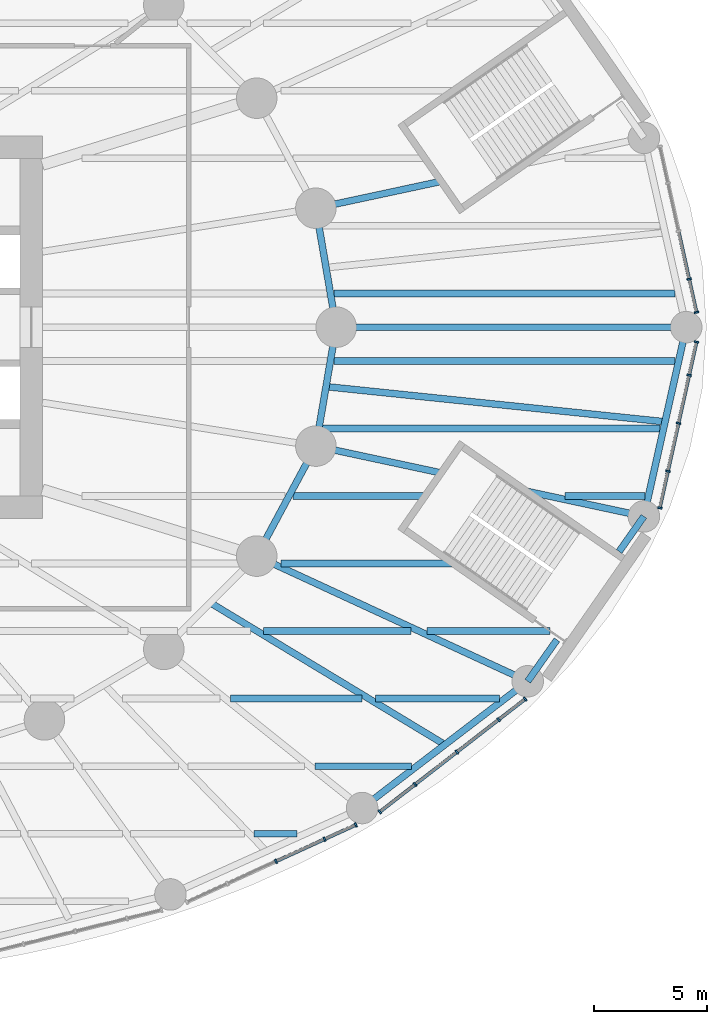
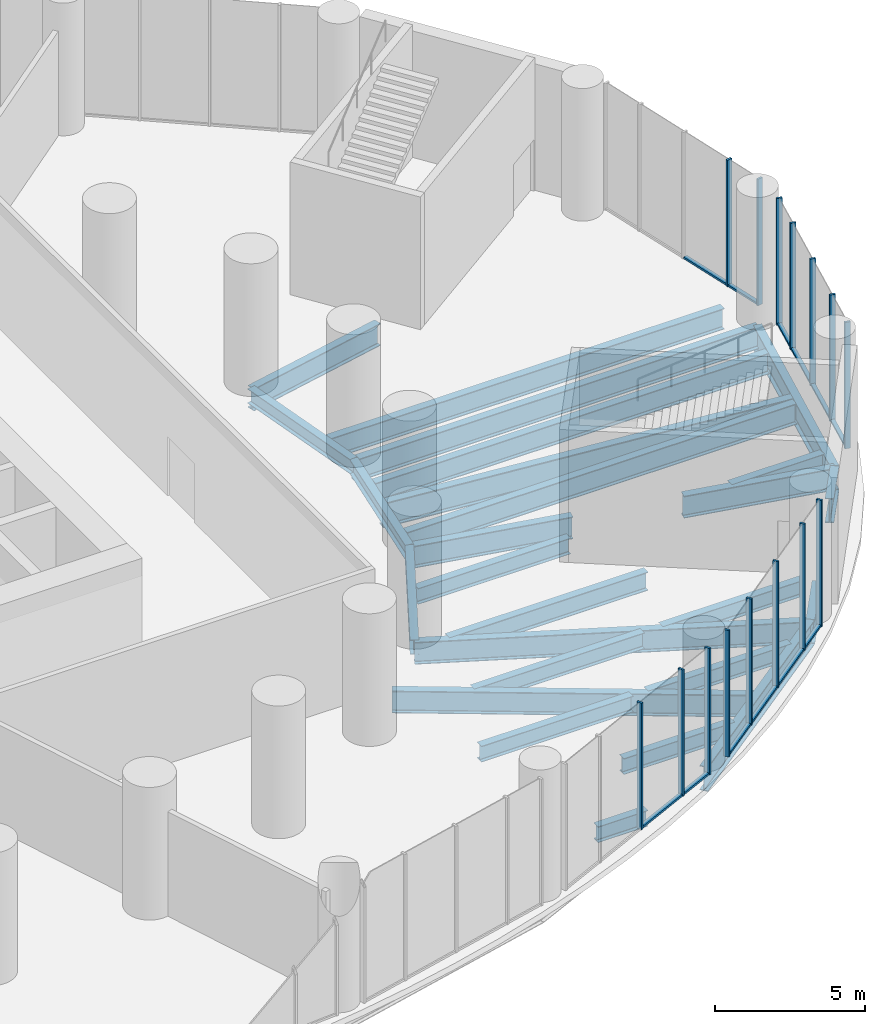
# One storey, part 11 of 21: 27 members, 26 beams, 4 elements without a shape of their own.
"""IFC4 building model written with IfcOpenShell, lengths in metres."""

import ifcopenshell
import ifcopenshell.guid

model = None  # the IFC model being written
_history = None  # IfcOwnerHistory: only IFC2X3 demands one
_inside = {}  # id of a spatial element -> (the spatial element, [elements in it])
_under = {}  # id of a project, library or spatial element -> (it, [spatial elements below it])
_declared = {}  # id of a project -> (the project, [libraries it declares])
_typed = {}  # id of a type object -> (the type object, [elements of that type])
_made_of = {}  # id of a material, layer set ... -> (it, [elements and type objects made of it])


def new_model(schema):
    """Start an empty IFC model of exactly this schema.

    Asked for "IFC4X3", IfcOpenShell would pick the latest addendum, in which some entities
    have other attributes; the version numbers below select the first issue.
    IFC2X3 requires an IfcOwnerHistory on every rooted entity: one is made here for all.
    """
    global model, _history
    if schema == "IFC4X3":
        model = ifcopenshell.file(schema_version=(4, 3, 0, 0))
    else:
        model = ifcopenshell.file(schema=schema)
    _inside.clear()
    _under.clear()
    _declared.clear()
    _typed.clear()
    _made_of.clear()
    _history = None
    if model.schema == "IFC2X3":
        org = make("IfcOrganization", Name="unknown")
        user = make(
            "IfcPersonAndOrganization",
            ThePerson=make("IfcPerson", FamilyName="unknown"),
            TheOrganization=org,
        )
        app = make(
            "IfcApplication",
            ApplicationDeveloper=org,
            Version="unknown",
            ApplicationFullName="unknown",
            ApplicationIdentifier="unknown",
        )
        _history = make(
            "IfcOwnerHistory",
            OwningUser=user,
            OwningApplication=app,
            ChangeAction="ADDED",
            CreationDate=0,
        )
    return model


def make(cls, **values):
    """One entity of the class cls with the attributes given. An attribute that is None is left unset."""
    return model.create_entity(
        cls, **{name: value for name, value in values.items() if value is not None}
    )


def rooted(cls, **values):
    """An entity with a GlobalId (a new one), such as an element, a storey or a relation."""
    return make(cls, GlobalId=ifcopenshell.guid.new(), OwnerHistory=_history, **values)


def si_unit(unit_type, name, prefix=None):
    """IfcSIUnit, for example si_unit("LENGTHUNIT", "METRE", prefix="MILLI")."""
    return make("IfcSIUnit", UnitType=unit_type, Prefix=prefix, Name=name)


def assignment(units):
    """IfcUnitAssignment: the units of a project."""
    return None if units is None else make("IfcUnitAssignment", Units=units)


def point(xyz):
    """IfcCartesianPoint."""
    return None if xyz is None else make("IfcCartesianPoint", Coordinates=xyz)


def direction(xyz):
    """IfcDirection."""
    return None if xyz is None else make("IfcDirection", DirectionRatios=xyz)


def frame(location, z_axis=None, x_axis=None):
    """IfcAxis2Placement3D, a coordinate frame: its origin and axes. An axis left out is left unset."""
    return make(
        "IfcAxis2Placement3D",
        Location=point(location),
        Axis=direction(z_axis),
        RefDirection=direction(x_axis),
    )


def frame_2d(location, x_axis=None):
    """IfcAxis2Placement2D, a coordinate frame in the plane: its origin and x axis."""
    return make(
        "IfcAxis2Placement2D", Location=point(location), RefDirection=direction(x_axis)
    )


def origin():
    """The frame at (0, 0, 0) with its axes left unset."""
    return frame((0.0, 0.0, 0.0))


def origin_2d():
    """The frame at (0, 0) in the plane with its x axis left unset."""
    return frame_2d((0.0, 0.0))


def place(relative_to, where):
    """IfcLocalPlacement: puts the frame where relative to a parent placement (None: the world)."""
    return make(
        "IfcLocalPlacement", PlacementRelTo=relative_to, RelativePlacement=where
    )


def context(
    kind, dimensions, precision=None, world=None, true_north=None, identifier=None
):
    """IfcGeometricRepresentationContext, for example the 3D "Model" context."""
    return make(
        "IfcGeometricRepresentationContext",
        ContextIdentifier=identifier,
        ContextType=kind,
        CoordinateSpaceDimension=dimensions,
        Precision=precision,
        WorldCoordinateSystem=world,
        TrueNorth=true_north,
    )


def subcontext(parent, identifier, kind, view, scale=None):
    """IfcGeometricRepresentationSubContext, for example "Body" below "Model"."""
    return make(
        "IfcGeometricRepresentationSubContext",
        ContextIdentifier=identifier,
        ContextType=kind,
        ParentContext=parent,
        TargetScale=scale,
        TargetView=view,
    )


def project(units=None, contexts=None):
    """IfcProject with its units and contexts."""
    return rooted(
        "IfcProject",
        Name="project",
        RepresentationContexts=contexts,
        UnitsInContext=assignment(units),
    )


def spatial(cls, under=None, at=None, **own):
    """A site, building, storey or space (cls), placed at a placement, below another one or the project."""
    s = rooted(cls, ObjectPlacement=at, **own)
    if under is not None:
        _under.setdefault(under.id(), (under, []))[1].append(s)
    return s


def profile(cls, at=None, kind="AREA", **sizes):
    """A parametric profile (cls). Its sizes go by their IFC names, for example OverallWidth=200.0."""
    return make(cls, ProfileType=kind, Position=at, **sizes)


def rectangle(**sizes):
    """IfcRectangleProfileDef."""
    return profile("IfcRectangleProfileDef", **sizes)


def i_section(**sizes):
    """IfcIShapeProfileDef."""
    return profile("IfcIShapeProfileDef", **sizes)


def extrude(swept, where, along, depth):
    """IfcExtrudedAreaSolid: the profile swept, set in the frame where, extruded along a direction by depth."""
    return make(
        "IfcExtrudedAreaSolid",
        SweptArea=swept,
        Position=where,
        ExtrudedDirection=direction(along),
        Depth=depth,
    )


def shape(context_of_items, identifier, shape_type, items):
    """IfcShapeRepresentation: the items that make up one representation, for example the "Body"."""
    return make(
        "IfcShapeRepresentation",
        ContextOfItems=context_of_items,
        RepresentationIdentifier=identifier,
        RepresentationType=shape_type,
        Items=items,
    )


def material(Name=None, Category=None):
    """IfcMaterial."""
    return make("IfcMaterial", Name=Name, Category=Category)


def material_profile(
    of_material, cross_section, Name=None, Category=None, Priority=None
):
    """IfcMaterialProfile: a cross section and its material."""
    return make(
        "IfcMaterialProfile",
        Name=Name,
        Material=of_material,
        Profile=cross_section,
        Priority=Priority,
        Category=Category,
    )


def profile_set(profiles, Name=None, composite=None):
    """IfcMaterialProfileSet."""
    return make(
        "IfcMaterialProfileSet",
        Name=Name,
        MaterialProfiles=profiles,
        CompositeProfile=composite,
    )


def made_of(thing, what):
    """Note that an element or type object is made of a material, layer set ...; save() writes the relation."""
    if what is not None:
        _made_of.setdefault(what.id(), (what, []))[1].append(thing)
    return thing


def type_object(cls, material=None, **own):
    """A type object (cls), such as IfcWallType, which elements share."""
    return made_of(rooted(cls, **own), material)


def element(
    cls,
    number,
    at=None,
    inside=None,
    cuts=None,
    type_object=None,
    material=None,
    context=None,
    identifier="Body",
    shape_type=None,
    held_by="IfcProductDefinitionShape",
    body=None,
    shapes=None,
    **own,
):
    """One element of the class cls, such as IfcWall. Its Tag is "e" and its number.

    at: its placement. inside: the storey or other place that contains it. cuts: it is an
    opening in that element (IfcRelVoidsElement). A single representation is given by context,
    identifier, shape_type and body (its items); several are given by shapes. held_by: the class
    of the entity that holds the representations. save() writes the other relations.
    """
    e = rooted(cls, Tag="e%d" % number, ObjectPlacement=at, **own)
    if body is not None:
        shapes = [shape(context, identifier, shape_type, body)]
    if shapes is not None:
        e.Representation = make(held_by, Representations=shapes)
    if inside is not None:
        _inside.setdefault(inside.id(), (inside, []))[1].append(e)
    if cuts is not None:
        rooted(
            "IfcRelVoidsElement", RelatingBuildingElement=cuts, RelatedOpeningElement=e
        )
    if type_object is not None:
        _typed.setdefault(type_object.id(), (type_object, []))[1].append(e)
    return made_of(e, material)


def aggregate(whole, parts):
    """IfcRelAggregates: a whole, such as a stair, and the parts it consists of."""
    return rooted("IfcRelAggregates", RelatingObject=whole, RelatedObjects=parts)


def save(model, path):
    """Write the relations noted so far, then the file.

    IfcRelAggregates (storeys below a building ...), IfcRelContainedInSpatialStructure (elements
    in a storey), IfcRelDefinesByType, IfcRelAssociatesMaterial and IfcRelDeclares: one each for
    every whole, place, type object, material and project.
    """
    for whole, parts in _under.values():
        aggregate(whole, parts)
    for where, things in _inside.values():
        rooted(
            "IfcRelContainedInSpatialStructure",
            RelatedElements=things,
            RelatingStructure=where,
        )
    for kind, things in _typed.values():
        rooted("IfcRelDefinesByType", RelatedObjects=things, RelatingType=kind)
    for what, things in _made_of.values():
        rooted("IfcRelAssociatesMaterial", RelatedObjects=things, RelatingMaterial=what)
    for by, libraries in _declared.values():
        rooted("IfcRelDeclares", RelatingContext=by, RelatedDefinitions=libraries)
    model.write(path)


model = new_model("IFC4")

# Units and contexts
model_context = context("Model", 3, precision=1e-05, world=origin(), true_north=direction((0.0, 1.0)))
body_context = subcontext(model_context, "Body", "Model", "MODEL_VIEW")
ifc_project = project(units=[si_unit("LENGTHUNIT", "METRE"), si_unit("AREAUNIT", "SQUARE_METRE"), si_unit("VOLUMEUNIT", "CUBIC_METRE"), si_unit("PLANEANGLEUNIT", "RADIAN"), si_unit("MASSUNIT", "GRAM", prefix="KILO")], contexts=[model_context])

# Site, building, storey
site_placement = place(None, origin())
site = spatial("IfcSite", under=ifc_project, at=site_placement, CompositionType="ELEMENT")
building_placement = place(site_placement, origin())
building = spatial("IfcBuilding", under=site, at=building_placement, Name="Hankou Lantern Tower", CompositionType="ELEMENT")
storey_placement = place(building_placement, frame((0.0, 0.0, 13.800048828125)))
storey = spatial("IfcBuildingStorey", under=building, at=storey_placement, Name="L02", CompositionType="ELEMENT", Elevation=13.800048828125)

# Beams
ifc_material_1 = material(Name="Steel Q355B", Category="steel")
ifc_material_profile_1 = material_profile(ifc_material_1, i_section(OverallWidth=0.300048828125, OverallDepth=0.587890625, WebThickness=0.011962890625, FlangeThickness=0.02001953125, FilletRadius=0.01806640625, at=origin_2d()), Name="HM588x300x12x20")
ifc_profile_set_1 = profile_set([ifc_material_profile_1], Name="Steel Q355B")
beam_type_1 = type_object("IfcBeamType", Name="EB16 RING BEAM HM588x300x12x20", PredefinedType="SPANDREL", material=ifc_profile_set_1)
beam_1_placement = place(storey_placement, frame((25.550048828125, 0.0, -0.5439453125), z_axis=(-0.168489691988, 0.985703415685, 0.0), x_axis=(-0.985703415685, -0.168489691988, 0.0)))
element("IfcBeam", 1, at=beam_1_placement, inside=storey, type_object=beam_type_1, Name="Ring beam R01-R02 L02", PredefinedType="SPANDREL", context=body_context, shape_type="SweptSolid", body=[
    extrude(i_section(OverallWidth=0.300048828125, OverallDepth=0.587890625, WebThickness=0.011962890625, FlangeThickness=0.02001953125, FilletRadius=0.01806640625, at=origin_2d()), origin(), (0.0, 0.0, 1.0), 5.35986328125),
])
beam_2_placement = place(storey_placement, frame((22.01904296875, -10.170166015625, -0.5439453125), z_axis=(0.473609096023, 0.880735161194, 0.0), x_axis=(-0.880735161194, 0.473609096023, 0.0)))
element("IfcBeam", 2, at=beam_2_placement, inside=storey, type_object=beam_type_1, Name="Ring beam R23-R24 L02", PredefinedType="SPANDREL", context=body_context, shape_type="SweptSolid", body=[
    extrude(i_section(OverallWidth=0.300048828125, OverallDepth=0.587890625, WebThickness=0.011962890625, FlangeThickness=0.02001953125, FilletRadius=0.01806640625, at=origin_2d()), origin(), (0.0, 0.0, 1.0), 5.548828125),
])
beam_3_placement = place(storey_placement, frame((24.64697265625, -5.283203125, -0.5439453125), z_axis=(0.168489691988, 0.985703415685, 0.0), x_axis=(-0.985703415685, 0.168489691988, 0.0)))
element("IfcBeam", 3, at=beam_3_placement, inside=storey, type_object=beam_type_1, Name="Ring beam R24-R01 L02", PredefinedType="SPANDREL", context=body_context, shape_type="SweptSolid", body=[
    extrude(i_section(OverallWidth=0.300048828125, OverallDepth=0.587890625, WebThickness=0.011962890625, FlangeThickness=0.02001953125, FilletRadius=0.01806640625, at=origin_2d()), origin(), (0.0, 0.0, 1.0), 5.35986328125),
])

# Curtain wall, members
ifc_material_2 = material(Name="Glass, dark grey tinted laminated", Category="glass")
curtain_wall_type = type_object("IfcCurtainWallType", Name="CWP PODIUM CURTAIN WALL", PredefinedType="USERDEFINED", material=ifc_material_2)
curtain_wall_1_placement = place(storey_placement, origin())
curtain_wall_1 = element("IfcCurtainWall", 4, at=curtain_wall_1_placement, inside=storey, type_object=curtain_wall_type, Name="CWP L02 PC17", ObjectType="PODIUM GLAZING", PredefinedType="USERDEFINED")
ifc_material_3 = material(Name="Aluminium, black anodised", Category="aluminium")
ifc_material_profile_2 = material_profile(ifc_material_3, rectangle(XDim=0.080078125, YDim=0.199951171875, at=origin_2d()), Name="MU2 80X200")
ifc_profile_set_2 = profile_set([ifc_material_profile_2], Name="Aluminium, black anodised")
member_type_1 = type_object("IfcMemberType", Name="MU2 PODIUM MULLION 80X200", PredefinedType="MULLION", material=ifc_profile_set_2)
member_1_placement = place(storey_placement, frame((22.873046875, -23.730224609375, 0.0), z_axis=(0.0, 0.0, 1.0), x_axis=(0.909669790944, 0.41533224224, 0.0)))
member_1 = element("IfcMember", 5, at=member_1_placement, type_object=member_type_1, Name="CWP mullion 3", PredefinedType="MULLION", context=body_context, shape_type="SweptSolid", body=[
    extrude(rectangle(XDim=0.080078125, YDim=0.199951171875, at=origin_2d()), origin(), (0.0, 0.0, 1.0), 5.14990234375),
])
member_2_placement = place(storey_placement, frame((25.034423828125, -22.743408203125, 0.0), z_axis=(0.0, 0.0, 1.0), x_axis=(0.909669790944, 0.41533224224, 0.0)))
member_2 = element("IfcMember", 6, at=member_2_placement, type_object=member_type_1, Name="CWP mullion 4", PredefinedType="MULLION", context=body_context, shape_type="SweptSolid", body=[
    extrude(rectangle(XDim=0.080078125, YDim=0.199951171875, at=origin_2d()), origin(), (0.0, 0.0, 1.0), 5.14990234375),
])
member_3_placement = place(storey_placement, frame((26.421630859375, -22.10986328125, 0.0), z_axis=(0.0, 0.0, 1.0), x_axis=(0.909669790944, 0.41533224224, 0.0)))
member_3 = element("IfcMember", 7, at=member_3_placement, type_object=member_type_1, Name="CWP mullion 5", PredefinedType="MULLION", context=body_context, shape_type="SweptSolid", body=[
    extrude(rectangle(XDim=0.080078125, YDim=0.199951171875, at=origin_2d()), origin(), (0.0, 0.0, 1.0), 5.14990234375),
])

curtain_wall_2_placement = place(storey_placement, origin())
curtain_wall_2 = element("IfcCurtainWall", 8, at=curtain_wall_2_placement, inside=storey, type_object=curtain_wall_type, Name="CWP L02 PC18", ObjectType="PODIUM GLAZING", PredefinedType="USERDEFINED")
member_4_placement = place(storey_placement, frame((27.487060546875, -21.530517578125, 0.0), z_axis=(0.0, 0.0, 1.0), x_axis=(0.790129760642, 0.612939606608, 0.0)))
member_4 = element("IfcMember", 9, at=member_4_placement, type_object=member_type_1, Name="CWP mullion 1", PredefinedType="MULLION", context=body_context, shape_type="SweptSolid", body=[
    extrude(rectangle(XDim=0.080078125, YDim=0.199951171875, at=origin_2d()), origin(), (0.0, 0.0, 1.0), 5.14990234375),
])
member_5_placement = place(storey_placement, frame((29.05322265625, -20.315673828125, 0.0), z_axis=(0.0, 0.0, 1.0), x_axis=(0.790129760642, 0.612939606608, 0.0)))
member_5 = element("IfcMember", 10, at=member_5_placement, type_object=member_type_1, Name="CWP mullion 2", PredefinedType="MULLION", context=body_context, shape_type="SweptSolid", body=[
    extrude(rectangle(XDim=0.080078125, YDim=0.199951171875, at=origin_2d()), origin(), (0.0, 0.0, 1.0), 5.14990234375),
])
member_6_placement = place(storey_placement, frame((30.91064453125, -18.874755859375, 0.0), z_axis=(0.0, 0.0, 1.0), x_axis=(0.790129760642, 0.612939606608, 0.0)))
member_6 = element("IfcMember", 11, at=member_6_placement, type_object=member_type_1, Name="CWP mullion 3", PredefinedType="MULLION", context=body_context, shape_type="SweptSolid", body=[
    extrude(rectangle(XDim=0.080078125, YDim=0.199951171875, at=origin_2d()), origin(), (0.0, 0.0, 1.0), 5.14990234375),
])
member_7_placement = place(storey_placement, frame((32.76806640625, -17.433837890625, 0.0), z_axis=(0.0, 0.0, 1.0), x_axis=(0.790129760642, 0.612939606608, 0.0)))
member_7 = element("IfcMember", 12, at=member_7_placement, type_object=member_type_1, Name="CWP mullion 4", PredefinedType="MULLION", context=body_context, shape_type="SweptSolid", body=[
    extrude(rectangle(XDim=0.080078125, YDim=0.199951171875, at=origin_2d()), origin(), (0.0, 0.0, 1.0), 5.14990234375),
])
member_8_placement = place(storey_placement, frame((33.945068359375, -16.520751953125, 0.0), z_axis=(0.0, 0.0, 1.0), x_axis=(0.790129760642, 0.612939606608, 0.0)))
member_8 = element("IfcMember", 13, at=member_8_placement, type_object=member_type_1, Name="CWP mullion 5", PredefinedType="MULLION", context=body_context, shape_type="SweptSolid", body=[
    extrude(rectangle(XDim=0.080078125, YDim=0.199951171875, at=origin_2d()), origin(), (0.0, 0.0, 1.0), 5.14990234375),
])

curtain_wall_3_placement = place(storey_placement, origin())
curtain_wall_3 = element("IfcCurtainWall", 14, at=curtain_wall_3_placement, inside=storey, type_object=curtain_wall_type, Name="CWP L02 PC19", ObjectType="PODIUM GLAZING", PredefinedType="USERDEFINED")
member_9_placement = place(storey_placement, frame((39.925537109375, -8.028564453125, 0.0), z_axis=(0.0, 0.0, 1.0), x_axis=(0.215821488116, 0.976432837049, 0.0)))
member_9 = element("IfcMember", 15, at=member_9_placement, type_object=member_type_1, Name="CWP mullion 1", PredefinedType="MULLION", context=body_context, shape_type="SweptSolid", body=[
    extrude(rectangle(XDim=0.080078125, YDim=0.199951171875, at=origin_2d()), origin(), (0.0, 0.0, 1.0), 5.14990234375),
])
member_10_placement = place(storey_placement, frame((40.28515625, -6.40087890625, 0.0), z_axis=(0.0, 0.0, 1.0), x_axis=(0.215821488116, 0.976432837049, 0.0)))
member_10 = element("IfcMember", 16, at=member_10_placement, type_object=member_type_1, Name="CWP mullion 2", PredefinedType="MULLION", context=body_context, shape_type="SweptSolid", body=[
    extrude(rectangle(XDim=0.080078125, YDim=0.199951171875, at=origin_2d()), origin(), (0.0, 0.0, 1.0), 5.14990234375),
])
member_11_placement = place(storey_placement, frame((40.7568359375, -4.267333984375, 0.0), z_axis=(0.0, 0.0, 1.0), x_axis=(0.215821488116, 0.976432837049, 0.0)))
member_11 = element("IfcMember", 17, at=member_11_placement, type_object=member_type_1, Name="CWP mullion 3", PredefinedType="MULLION", context=body_context, shape_type="SweptSolid", body=[
    extrude(rectangle(XDim=0.080078125, YDim=0.199951171875, at=origin_2d()), origin(), (0.0, 0.0, 1.0), 5.14990234375),
])
member_12_placement = place(storey_placement, frame((41.228515625, -2.133544921875, 0.0), z_axis=(0.0, 0.0, 1.0), x_axis=(0.215821488116, 0.976432837049, 0.0)))
member_12 = element("IfcMember", 18, at=member_12_placement, type_object=member_type_1, Name="CWP mullion 4", PredefinedType="MULLION", context=body_context, shape_type="SweptSolid", body=[
    extrude(rectangle(XDim=0.080078125, YDim=0.199951171875, at=origin_2d()), origin(), (0.0, 0.0, 1.0), 5.14990234375),
])
member_13_placement = place(storey_placement, frame((41.55419921875, -0.659423828125, 0.0), z_axis=(0.0, 0.0, 1.0), x_axis=(0.215821488116, 0.976432837049, 0.0)))
member_13 = element("IfcMember", 19, at=member_13_placement, type_object=member_type_1, Name="CWP mullion 5", PredefinedType="MULLION", context=body_context, shape_type="SweptSolid", body=[
    extrude(rectangle(XDim=0.080078125, YDim=0.199951171875, at=origin_2d()), origin(), (0.0, 0.0, 1.0), 5.14990234375),
])

curtain_wall_4_placement = place(storey_placement, origin())
curtain_wall_4 = element("IfcCurtainWall", 20, at=curtain_wall_4_placement, inside=storey, type_object=curtain_wall_type, Name="CWP L02 PC20", ObjectType="PODIUM GLAZING", PredefinedType="USERDEFINED")
member_14_placement = place(storey_placement, frame((41.55419921875, 0.659423828125, 0.0), z_axis=(0.0, 0.0, 1.0), x_axis=(-0.215821488116, 0.976432837049, 0.0)))
member_14 = element("IfcMember", 21, at=member_14_placement, type_object=member_type_1, Name="CWP mullion 1", PredefinedType="MULLION", context=body_context, shape_type="SweptSolid", body=[
    extrude(rectangle(XDim=0.080078125, YDim=0.199951171875, at=origin_2d()), origin(), (0.0, 0.0, 1.0), 5.14990234375),
])
member_15_placement = place(storey_placement, frame((41.228515625, 2.133544921875, 0.0), z_axis=(0.0, 0.0, 1.0), x_axis=(-0.215821488116, 0.976432837049, 0.0)))
member_15 = element("IfcMember", 22, at=member_15_placement, type_object=member_type_1, Name="CWP mullion 2", PredefinedType="MULLION", context=body_context, shape_type="SweptSolid", body=[
    extrude(rectangle(XDim=0.080078125, YDim=0.199951171875, at=origin_2d()), origin(), (0.0, 0.0, 1.0), 5.14990234375),
])

# Beams
ifc_material_4 = material(Name="Steel Q355B", Category="steel")
ifc_material_profile_3 = material_profile(ifc_material_4, i_section(OverallWidth=0.300048828125, OverallDepth=0.89990234375, WebThickness=0.01611328125, FlangeThickness=0.028076171875, FilletRadius=0.01806640625, at=origin_2d()), Name="HN900x300x16x28")
ifc_profile_set_3 = profile_set([ifc_material_profile_3], Name="Steel Q355B")
beam_type_2 = type_object("IfcBeamType", Name="PB13 PODIUM RADIAL BEAM HN900x300x16x28", PredefinedType="BEAM", material=ifc_profile_set_3)
beam_4_placement = place(storey_placement, frame((25.550048828125, 0.0, -0.699951171875), z_axis=(1.0, 0.0, 0.0), x_axis=(0.0, 1.0, 0.0)))
element("IfcBeam", 23, at=beam_4_placement, inside=storey, type_object=beam_type_2, Name="Podium radial beam R01 L02", PredefinedType="BEAM", context=body_context, shape_type="SweptSolid", body=[
    extrude(i_section(OverallWidth=0.300048828125, OverallDepth=0.89990234375, WebThickness=0.01611328125, FlangeThickness=0.028076171875, FilletRadius=0.01806640625, at=origin_2d()), origin(), (0.0, 0.0, 1.0), 15.550048828125),
])
beam_5_placement = place(storey_placement, frame((24.64697265625, 5.283203125, -0.699951171875), z_axis=(0.977787338777, 0.209599427782, 0.0), x_axis=(-0.209599427782, 0.977787338777, 0.0)))
element("IfcBeam", 24, at=beam_5_placement, inside=storey, type_object=beam_type_2, Name="Podium radial beam R02 L02 inner part", PredefinedType="BEAM", context=body_context, shape_type="SweptSolid", body=[
    extrude(i_section(OverallWidth=0.300048828125, OverallDepth=0.89990234375, WebThickness=0.01611328125, FlangeThickness=0.028076171875, FilletRadius=0.01806640625, at=origin_2d()), origin(), (0.0, 0.0, 1.0), 5.68896484375),
])
beam_6_placement = place(storey_placement, frame((22.01904296875, -10.170166015625, -0.699951171875), z_axis=(0.907840792808, -0.419315030633, 0.0), x_axis=(0.419315030633, 0.907840792808, 0.0)))
element("IfcBeam", 25, at=beam_6_placement, inside=storey, type_object=beam_type_2, Name="Podium radial beam R23 L02", PredefinedType="BEAM", context=body_context, shape_type="SweptSolid", body=[
    extrude(i_section(OverallWidth=0.300048828125, OverallDepth=0.89990234375, WebThickness=0.01611328125, FlangeThickness=0.028076171875, FilletRadius=0.01806640625, at=origin_2d()), origin(), (0.0, 0.0, 1.0), 13.259765625),
])
beam_7_placement = place(storey_placement, frame((24.64697265625, -5.283203125, -0.699951171875), z_axis=(0.977787338777, -0.209599427782, 0.0), x_axis=(0.209599427782, 0.977787338777, 0.0)))
element("IfcBeam", 26, at=beam_7_placement, inside=storey, type_object=beam_type_2, Name="Podium radial beam R24 L02 inner part", PredefinedType="BEAM", context=body_context, shape_type="SweptSolid", body=[
    extrude(i_section(OverallWidth=0.300048828125, OverallDepth=0.89990234375, WebThickness=0.01611328125, FlangeThickness=0.028076171875, FilletRadius=0.01806640625, at=origin_2d()), origin(), (0.0, 0.0, 1.0), 5.68896484375),
])
beam_8_placement = place(storey_placement, frame((34.01025390625, -7.29052734375, -0.699951171875), z_axis=(0.977788323488, -0.209594834028, 0.0), x_axis=(0.209594834028, 0.977788323488, 0.0)))
element("IfcBeam", 27, at=beam_8_placement, inside=storey, type_object=beam_type_2, Name="Podium radial beam R24 L02 outer part", PredefinedType="BEAM", context=body_context, shape_type="SweptSolid", body=[
    extrude(i_section(OverallWidth=0.300048828125, OverallDepth=0.89990234375, WebThickness=0.01611328125, FlangeThickness=0.028076171875, FilletRadius=0.01806640625, at=origin_2d()), origin(), (0.0, 0.0, 1.0), 5.32568359375),
])
ifc_material_5 = material(Name="Steel Q355B", Category="steel")
ifc_material_profile_4 = material_profile(ifc_material_5, i_section(OverallWidth=0.300048828125, OverallDepth=1.0, WebThickness=0.01904296875, FlangeThickness=0.035888671875, FilletRadius=0.01806640625, at=origin_2d()), Name="HN1000x300x19x36")
ifc_profile_set_4 = profile_set([ifc_material_profile_4], Name="Steel Q355B")
beam_type_3 = type_object("IfcBeamType", Name="PR22 PODIUM RING BEAM HN1000x300x19x36", PredefinedType="BEAM", material=ifc_profile_set_4)
beam_9_placement = place(storey_placement, frame((26.7021484375, -21.361572265625, -0.75), z_axis=(0.793985875103, 0.607936205647, 0.0), x_axis=(-0.607936205647, 0.793985875103, 0.0)))
element("IfcBeam", 28, at=beam_9_placement, inside=storey, type_object=beam_type_3, Name="Podium ring beam R22-R23 L02", PredefinedType="BEAM", context=body_context, shape_type="SweptSolid", body=[
    extrude(i_section(OverallWidth=0.300048828125, OverallDepth=1.0, WebThickness=0.01904296875, FlangeThickness=0.035888671875, FilletRadius=0.01806640625, at=origin_2d()), origin(), (0.0, 0.0, 1.0), 9.262939453125),
])
beam_10_placement = place(storey_placement, frame((34.056884765625, -15.730224609375, -0.75), z_axis=(0.576006222853, 0.817445307794, 0.0), x_axis=(-0.817445307794, 0.576006222853, 0.0)))
element("IfcBeam", 29, at=beam_10_placement, inside=storey, type_object=beam_type_3, Name="Podium ring beam R23-R24 L02 west part", PredefinedType="BEAM", context=body_context, shape_type="SweptSolid", body=[
    extrude(i_section(OverallWidth=0.300048828125, OverallDepth=1.0, WebThickness=0.01904296875, FlangeThickness=0.035888671875, FilletRadius=0.01806640625, at=origin_2d()), origin(), (0.0, 0.0, 1.0), 2.251953125),
])
beam_11_placement = place(storey_placement, frame((38.118896484375, -9.9658203125, -0.75), z_axis=(0.576019631526, 0.817435859317, 0.0), x_axis=(-0.817435859317, 0.576019631526, 0.0)))
element("IfcBeam", 30, at=beam_11_placement, inside=storey, type_object=beam_type_3, Name="Podium ring beam R23-R24 L02 east part", PredefinedType="BEAM", context=body_context, shape_type="SweptSolid", body=[
    extrude(i_section(OverallWidth=0.300048828125, OverallDepth=1.0, WebThickness=0.01904296875, FlangeThickness=0.035888671875, FilletRadius=0.01806640625, at=origin_2d()), origin(), (0.0, 0.0, 1.0), 1.9072265625),
])
beam_12_placement = place(storey_placement, frame((39.217529296875, -8.40673828125, -0.75), z_axis=(0.218523498172, 0.975831686689, 0.0), x_axis=(-0.975831686689, 0.218523498172, 0.0)))
element("IfcBeam", 31, at=beam_12_placement, inside=storey, type_object=beam_type_3, Name="Podium ring beam R24-R01 L02", PredefinedType="BEAM", context=body_context, shape_type="SweptSolid", body=[
    extrude(i_section(OverallWidth=0.300048828125, OverallDepth=1.0, WebThickness=0.01904296875, FlangeThickness=0.035888671875, FilletRadius=0.01806640625, at=origin_2d()), origin(), (0.0, 0.0, 1.0), 8.614990234375),
])
ifc_material_6 = material(Name="Steel Q355B", Category="steel")
ifc_material_profile_5 = material_profile(ifc_material_6, i_section(OverallWidth=0.300048828125, OverallDepth=0.89990234375, WebThickness=0.01611328125, FlangeThickness=0.028076171875, FilletRadius=0.01806640625, at=origin_2d()), Name="HN900x300x16x28")
ifc_profile_set_5 = profile_set([ifc_material_profile_5], Name="Steel Q355B")
beam_type_4 = type_object("IfcBeamType", Name="PS13 PODIUM SECONDARY BEAM HN900x300x16x28", PredefinedType="JOIST", material=ifc_profile_set_5)
beam_13_placement = place(storey_placement, frame((19.955322265625, -12.24169921875, -0.699951171875), z_axis=(0.855685755165, -0.517495785884, 0.0), x_axis=(0.517495785884, 0.855685755165, 0.0)))
element("IfcBeam", 32, at=beam_13_placement, inside=storey, type_object=beam_type_4, Name="Podium secondary beam bay R22 L02", PredefinedType="JOIST", context=body_context, shape_type="SweptSolid", body=[
    extrude(i_section(OverallWidth=0.300048828125, OverallDepth=0.89990234375, WebThickness=0.01611328125, FlangeThickness=0.028076171875, FilletRadius=0.01806640625, at=origin_2d()), origin(), (0.0, 0.0, 1.0), 12.18212890625),
])
ifc_material_7 = material(Name="Steel Q355B", Category="steel")
ifc_material_profile_6 = material_profile(ifc_material_7, i_section(OverallWidth=0.300048828125, OverallDepth=1.0, WebThickness=0.01904296875, FlangeThickness=0.035888671875, FilletRadius=0.01806640625, at=origin_2d()), Name="HN1000x300x19x36")
ifc_profile_set_6 = profile_set([ifc_material_profile_6], Name="Steel Q355B")
beam_type_5 = type_object("IfcBeamType", Name="PS22 PODIUM SECONDARY BEAM HN1000x300x19x36", PredefinedType="JOIST", material=ifc_profile_set_6)
beam_14_placement = place(storey_placement, frame((25.098388671875, -2.6416015625, -0.75), z_axis=(0.994666039581, -0.103147805132, 0.0), x_axis=(0.103147805132, 0.994666039581, 0.0)))
element("IfcBeam", 33, at=beam_14_placement, inside=storey, type_object=beam_type_5, Name="Podium secondary beam bay R24 L02", PredefinedType="JOIST", context=body_context, shape_type="SweptSolid", body=[
    extrude(i_section(OverallWidth=0.300048828125, OverallDepth=1.0, WebThickness=0.01904296875, FlangeThickness=0.035888671875, FilletRadius=0.01806640625, at=origin_2d()), origin(), (0.0, 0.0, 1.0), 15.14111328125),
])
ifc_material_8 = material(Name="Steel Q355B", Category="steel")
ifc_material_profile_7 = material_profile(ifc_material_8, i_section(OverallWidth=0.300048828125, OverallDepth=0.75, WebThickness=0.012939453125, FlangeThickness=0.02392578125, FilletRadius=0.01806640625, at=origin_2d()), Name="HN750x300x13x24")
ifc_profile_set_7 = profile_set([ifc_material_profile_7], Name="Steel Q355B")
beam_type_6 = type_object("IfcBeamType", Name="SB10 SECONDARY BEAM HN750x300x13x24", PredefinedType="JOIST", material=ifc_profile_set_7)
beam_15_placement = place(storey_placement, frame((23.0908203125, -10.5, -0.625), z_axis=(1.0, 0.0, 0.0), x_axis=(0.0, 1.0, 0.0)))
element("IfcBeam", 34, at=beam_15_placement, inside=storey, type_object=beam_type_6, Name="Floor joist J068 L02", PredefinedType="JOIST", context=body_context, shape_type="SweptSolid", body=[
    extrude(i_section(OverallWidth=0.300048828125, OverallDepth=0.75, WebThickness=0.012939453125, FlangeThickness=0.02392578125, FilletRadius=0.01806640625, at=origin_2d()), origin(), (0.0, 0.0, 1.0), 7.653076171875),
])
ifc_material_9 = material(Name="Steel Q355B", Category="steel")
ifc_material_profile_8 = material_profile(ifc_material_9, i_section(OverallWidth=0.300048828125, OverallDepth=0.85009765625, WebThickness=0.01611328125, FlangeThickness=0.027099609375, FilletRadius=0.01806640625, at=origin_2d()), Name="HN850x300x16x27")
ifc_profile_set_8 = profile_set([ifc_material_profile_8], Name="Steel Q355B")
beam_type_7 = type_object("IfcBeamType", Name="SB12 SECONDARY BEAM HN850x300x16x27", PredefinedType="JOIST", material=ifc_profile_set_8)
beam_16_placement = place(storey_placement, frame((24.93310546875, -4.5, -0.675048828125), z_axis=(1.0, 0.0, 0.0), x_axis=(0.0, 1.0, 0.0)))
element("IfcBeam", 35, at=beam_16_placement, inside=storey, type_object=beam_type_7, Name="Floor joist J080 L02", PredefinedType="JOIST", context=body_context, shape_type="SweptSolid", body=[
    extrude(i_section(OverallWidth=0.300048828125, OverallDepth=0.85009765625, WebThickness=0.01611328125, FlangeThickness=0.027099609375, FilletRadius=0.01806640625, at=origin_2d()), origin(), (0.0, 0.0, 1.0), 15.005615234375),
])
for number, where, z_axis, x_axis, name in (
    (36, (25.44580078125, -1.5, -0.675048828125), (1.0, 0.0, 0.0), (0.0, 1.0, 0.0), "Floor joist J084 L02"),
    (37, (25.44580078125, 1.5, -0.675048828125), (1.0, 0.0, 0.0), (0.0, 1.0, 0.0), "Floor joist J088 L02"),
):
    element("IfcBeam", number, at=place(storey_placement, frame(where, z_axis=z_axis, x_axis=x_axis)), inside=storey, type_object=beam_type_7, Name=name, PredefinedType="JOIST", context=body_context, shape_type="SweptSolid", body=[
        extrude(i_section(OverallWidth=0.300048828125, OverallDepth=0.85009765625, WebThickness=0.01611328125, FlangeThickness=0.027099609375, FilletRadius=0.01806640625, at=origin_2d()), origin(), (0.0, 0.0, 1.0), 15.16455078125),
    ])
ifc_material_10 = material(Name="Steel Q355B", Category="steel")
ifc_material_profile_9 = material_profile(ifc_material_10, i_section(OverallWidth=0.300048828125, OverallDepth=0.64990234375, WebThickness=0.010986328125, FlangeThickness=0.01708984375, FilletRadius=0.01806640625, at=origin_2d()), Name="HN650x300x11x17")
ifc_profile_set_9 = profile_set([ifc_material_profile_9], Name="Steel Q355B")
beam_type_8 = type_object("IfcBeamType", Name="SB8 SECONDARY BEAM HN650x300x11x17", PredefinedType="JOIST", material=ifc_profile_set_9)
beam_17_placement = place(storey_placement, frame((21.893798828125, -22.5, -0.574951171875), z_axis=(1.0, 0.0, 0.0), x_axis=(0.0, 1.0, 0.0)))
element("IfcBeam", 38, at=beam_17_placement, inside=storey, type_object=beam_type_8, Name="Floor joist J020 L02", PredefinedType="JOIST", context=body_context, shape_type="SweptSolid", body=[
    extrude(i_section(OverallWidth=0.300048828125, OverallDepth=0.64990234375, WebThickness=0.010986328125, FlangeThickness=0.01708984375, FilletRadius=0.01806640625, at=origin_2d()), origin(), (0.0, 0.0, 1.0), 1.917236328125),
])
beam_18_placement = place(storey_placement, frame((24.615234375, -19.5, -0.574951171875), z_axis=(1.0, 0.0, 0.0), x_axis=(0.0, 1.0, 0.0)))
element("IfcBeam", 39, at=beam_18_placement, inside=storey, type_object=beam_type_8, Name="Floor joist J032 L02", PredefinedType="JOIST", context=body_context, shape_type="SweptSolid", body=[
    extrude(i_section(OverallWidth=0.300048828125, OverallDepth=0.64990234375, WebThickness=0.010986328125, FlangeThickness=0.01708984375, FilletRadius=0.01806640625, at=origin_2d()), origin(), (0.0, 0.0, 1.0), 4.271484375),
])
beam_19_placement = place(storey_placement, frame((20.865234375, -16.5, -0.574951171875), z_axis=(1.0, 0.0, 0.0), x_axis=(0.0, 1.0, 0.0)))
element("IfcBeam", 40, at=beam_19_placement, inside=storey, type_object=beam_type_8, Name="Floor joist J043 L02", PredefinedType="JOIST", context=body_context, shape_type="SweptSolid", body=[
    extrude(i_section(OverallWidth=0.300048828125, OverallDepth=0.64990234375, WebThickness=0.010986328125, FlangeThickness=0.01708984375, FilletRadius=0.01806640625, at=origin_2d()), origin(), (0.0, 0.0, 1.0), 5.84130859375),
])
beam_20_placement = place(storey_placement, frame((27.286376953125, -16.5, -0.574951171875), z_axis=(1.0, 0.0, 0.0), x_axis=(0.0, 1.0, 0.0)))
element("IfcBeam", 41, at=beam_20_placement, inside=storey, type_object=beam_type_8, Name="Floor joist J044 L02", PredefinedType="JOIST", context=body_context, shape_type="SweptSolid", body=[
    extrude(i_section(OverallWidth=0.300048828125, OverallDepth=0.64990234375, WebThickness=0.010986328125, FlangeThickness=0.01708984375, FilletRadius=0.01806640625, at=origin_2d()), origin(), (0.0, 0.0, 1.0), 5.518310546875),
])
beam_21_placement = place(storey_placement, frame((22.32568359375, -13.5, -0.574951171875), z_axis=(1.0, 0.0, 0.0), x_axis=(0.0, 1.0, 0.0)))
element("IfcBeam", 42, at=beam_21_placement, inside=storey, type_object=beam_type_8, Name="Floor joist J057 L02", PredefinedType="JOIST", context=body_context, shape_type="SweptSolid", body=[
    extrude(i_section(OverallWidth=0.300048828125, OverallDepth=0.64990234375, WebThickness=0.010986328125, FlangeThickness=0.01708984375, FilletRadius=0.01806640625, at=origin_2d()), origin(), (0.0, 0.0, 1.0), 6.544921875),
])
beam_22_placement = place(storey_placement, frame((29.586181640625, -13.5, -0.574951171875), z_axis=(1.0, 0.0, 0.0), x_axis=(0.0, 1.0, 0.0)))
element("IfcBeam", 43, at=beam_22_placement, inside=storey, type_object=beam_type_8, Name="Floor joist J058 L02", PredefinedType="JOIST", context=body_context, shape_type="SweptSolid", body=[
    extrude(i_section(OverallWidth=0.300048828125, OverallDepth=0.64990234375, WebThickness=0.010986328125, FlangeThickness=0.01708984375, FilletRadius=0.01806640625, at=origin_2d()), origin(), (0.0, 0.0, 1.0), 5.470703125),
])
beam_23_placement = place(storey_placement, frame((23.625244140625, -7.5, -0.574951171875), z_axis=(1.0, 0.0, 0.0), x_axis=(0.0, 1.0, 0.0)))
element("IfcBeam", 44, at=beam_23_placement, inside=storey, type_object=beam_type_8, Name="Floor joist J073 L02", PredefinedType="JOIST", context=body_context, shape_type="SweptSolid", body=[
    extrude(i_section(OverallWidth=0.300048828125, OverallDepth=0.64990234375, WebThickness=0.010986328125, FlangeThickness=0.01708984375, FilletRadius=0.01806640625, at=origin_2d()), origin(), (0.0, 0.0, 1.0), 5.87158203125),
])
beam_24_placement = place(storey_placement, frame((35.70361328125, -7.5, -0.574951171875), z_axis=(1.0, 0.0, 0.0), x_axis=(0.0, 1.0, 0.0)))
element("IfcBeam", 45, at=beam_24_placement, inside=storey, type_object=beam_type_8, Name="Floor joist J074 L02", PredefinedType="JOIST", context=body_context, shape_type="SweptSolid", body=[
    extrude(i_section(OverallWidth=0.300048828125, OverallDepth=0.64990234375, WebThickness=0.010986328125, FlangeThickness=0.01708984375, FilletRadius=0.01806640625, at=origin_2d()), origin(), (0.0, 0.0, 1.0), 3.563232421875),
])

# Member
ifc_material_11 = material(Name="Aluminium, black anodised", Category="aluminium")
ifc_material_profile_10 = material_profile(ifc_material_11, rectangle(XDim=0.14990234375, YDim=0.080078125, at=origin_2d()), Name="TR2 150X80")
ifc_profile_set_10 = profile_set([ifc_material_profile_10], Name="Aluminium, black anodised")
member_type_2 = type_object("IfcMemberType", Name="TR2 PODIUM TRANSOM 150X80", PredefinedType="USERDEFINED", material=ifc_profile_set_10)
member_16_placement = place(storey_placement, frame((22.909423828125, -23.713623046875, 0.0400390625), z_axis=(0.909669664149, 0.415332519949, 0.0), x_axis=(-0.415332519949, 0.909669664149, 0.0)))
member_16 = element("IfcMember", 46, at=member_16_placement, type_object=member_type_2, Name="CWP transom 3", ObjectType="TRANSOM", PredefinedType="USERDEFINED", context=body_context, shape_type="SweptSolid", body=[
    extrude(rectangle(XDim=0.14990234375, YDim=0.080078125, at=origin_2d()), origin(), (0.0, 0.0, 1.0), 2.296142578125),
])

member_17_placement = place(storey_placement, frame((25.07080078125, -22.726806640625, 0.0400390625), z_axis=(0.909682453266, 0.415304507825, 0.0), x_axis=(-0.415304507825, 0.909682453266, 0.0)))
member_17 = element("IfcMember", 47, at=member_17_placement, type_object=member_type_2, Name="CWP transom 4", ObjectType="TRANSOM", PredefinedType="USERDEFINED", context=body_context, shape_type="SweptSolid", body=[
    extrude(rectangle(XDim=0.14990234375, YDim=0.080078125, at=origin_2d()), origin(), (0.0, 0.0, 1.0), 1.445068359375),
])

aggregate(curtain_wall_1, [member_1, member_2, member_3, member_16, member_17])

member_18_placement = place(storey_placement, frame((27.5185546875, -21.506103515625, 0.0400390625), z_axis=(0.790098015443, 0.612980526601, 0.0), x_axis=(-0.612980526601, 0.790098015443, 0.0)))
member_18 = element("IfcMember", 48, at=member_18_placement, type_object=member_type_2, Name="CWP transom 1", ObjectType="TRANSOM", PredefinedType="USERDEFINED", context=body_context, shape_type="SweptSolid", body=[
    extrude(rectangle(XDim=0.14990234375, YDim=0.080078125, at=origin_2d()), origin(), (0.0, 0.0, 1.0), 1.902099609375),
])

member_19_placement = place(storey_placement, frame((29.084716796875, -20.291015625, 0.0400390625), z_axis=(0.79016773701, 0.612890648802, 0.0), x_axis=(-0.612890648802, 0.79016773701, 0.0)))
member_19 = element("IfcMember", 49, at=member_19_placement, type_object=member_type_2, Name="CWP transom 2", ObjectType="TRANSOM", PredefinedType="USERDEFINED", context=body_context, shape_type="SweptSolid", body=[
    extrude(rectangle(XDim=0.14990234375, YDim=0.080078125, at=origin_2d()), origin(), (0.0, 0.0, 1.0), 2.27099609375),
])

member_20_placement = place(storey_placement, frame((30.942138671875, -18.85009765625, 0.0400390625), z_axis=(0.79016773701, 0.612890648802, 0.0), x_axis=(-0.612890648802, 0.79016773701, 0.0)))
member_20 = element("IfcMember", 50, at=member_20_placement, type_object=member_type_2, Name="CWP transom 3", ObjectType="TRANSOM", PredefinedType="USERDEFINED", context=body_context, shape_type="SweptSolid", body=[
    extrude(rectangle(XDim=0.14990234375, YDim=0.080078125, at=origin_2d()), origin(), (0.0, 0.0, 1.0), 2.27099609375),
])

member_21_placement = place(storey_placement, frame((32.7998046875, -17.4091796875, 0.0400390625), z_axis=(0.790144462034, 0.612920654829, 0.0), x_axis=(-0.612920654829, 0.790144462034, 0.0)))
member_21 = element("IfcMember", 51, at=member_21_placement, type_object=member_type_2, Name="CWP transom 4", ObjectType="TRANSOM", PredefinedType="USERDEFINED", context=body_context, shape_type="SweptSolid", body=[
    extrude(rectangle(XDim=0.14990234375, YDim=0.080078125, at=origin_2d()), origin(), (0.0, 0.0, 1.0), 1.4091796875),
])

aggregate(curtain_wall_2, [member_4, member_5, member_6, member_7, member_8, member_18, member_19, member_20, member_21])

member_22_placement = place(storey_placement, frame((39.93408203125, -7.989501953125, 0.0400390625), z_axis=(0.215838955929, 0.976428975965, 0.0), x_axis=(-0.976428975965, 0.215838955929, 0.0)))
member_22 = element("IfcMember", 52, at=member_22_placement, type_object=member_type_2, Name="CWP transom 1", ObjectType="TRANSOM", PredefinedType="USERDEFINED", context=body_context, shape_type="SweptSolid", body=[
    extrude(rectangle(XDim=0.14990234375, YDim=0.080078125, at=origin_2d()), origin(), (0.0, 0.0, 1.0), 1.5869140625),
])

member_23_placement = place(storey_placement, frame((40.2939453125, -6.36181640625, 0.0400390625), z_axis=(0.215812948044, 0.976434724627, 0.0), x_axis=(-0.976434724627, 0.215812948044, 0.0)))
member_23 = element("IfcMember", 53, at=member_23_placement, type_object=member_type_2, Name="CWP transom 2", ObjectType="TRANSOM", PredefinedType="USERDEFINED", context=body_context, shape_type="SweptSolid", body=[
    extrude(rectangle(XDim=0.14990234375, YDim=0.080078125, at=origin_2d()), origin(), (0.0, 0.0, 1.0), 2.105224609375),
])

member_24_placement = place(storey_placement, frame((40.765380859375, -4.228271484375, 0.0400390625), z_axis=(0.215812948044, 0.976434724627, 0.0), x_axis=(-0.976434724627, 0.215812948044, 0.0)))
member_24 = element("IfcMember", 54, at=member_24_placement, type_object=member_type_2, Name="CWP transom 3", ObjectType="TRANSOM", PredefinedType="USERDEFINED", context=body_context, shape_type="SweptSolid", body=[
    extrude(rectangle(XDim=0.14990234375, YDim=0.080078125, at=origin_2d()), origin(), (0.0, 0.0, 1.0), 2.105224609375),
])

member_25_placement = place(storey_placement, frame((41.237060546875, -2.094482421875, 0.0400390625), z_axis=(0.215845471344, 0.976427535714, 0.0), x_axis=(-0.976427535714, 0.215845471344, 0.0)))
member_25 = element("IfcMember", 55, at=member_25_placement, type_object=member_type_2, Name="CWP transom 4", ObjectType="TRANSOM", PredefinedType="USERDEFINED", context=body_context, shape_type="SweptSolid", body=[
    extrude(rectangle(XDim=0.14990234375, YDim=0.080078125, at=origin_2d()), origin(), (0.0, 0.0, 1.0), 1.4296875),
])

aggregate(curtain_wall_3, [member_9, member_10, member_11, member_12, member_13, member_22, member_23, member_24, member_25])

member_26_placement = place(storey_placement, frame((41.545654296875, 0.698486328125, 0.0400390625), z_axis=(-0.215845471344, 0.976427535714, 0.0), x_axis=(-0.976427535714, -0.215845471344, 0.0)))
member_26 = element("IfcMember", 56, at=member_26_placement, type_object=member_type_2, Name="CWP transom 1", ObjectType="TRANSOM", PredefinedType="USERDEFINED", context=body_context, shape_type="SweptSolid", body=[
    extrude(rectangle(XDim=0.14990234375, YDim=0.080078125, at=origin_2d()), origin(), (0.0, 0.0, 1.0), 1.4296875),
])

member_27_placement = place(storey_placement, frame((41.2197265625, 2.172607421875, 0.0400390625), z_axis=(-0.215812948044, 0.976434724627, 0.0), x_axis=(-0.976434724627, -0.215812948044, 0.0)))
member_27 = element("IfcMember", 57, at=member_27_placement, type_object=member_type_2, Name="CWP transom 2", ObjectType="TRANSOM", PredefinedType="USERDEFINED", context=body_context, shape_type="SweptSolid", body=[
    extrude(rectangle(XDim=0.14990234375, YDim=0.080078125, at=origin_2d()), origin(), (0.0, 0.0, 1.0), 2.105224609375),
])

aggregate(curtain_wall_4, [member_14, member_15, member_26, member_27])

save(model, "model.ifc")
